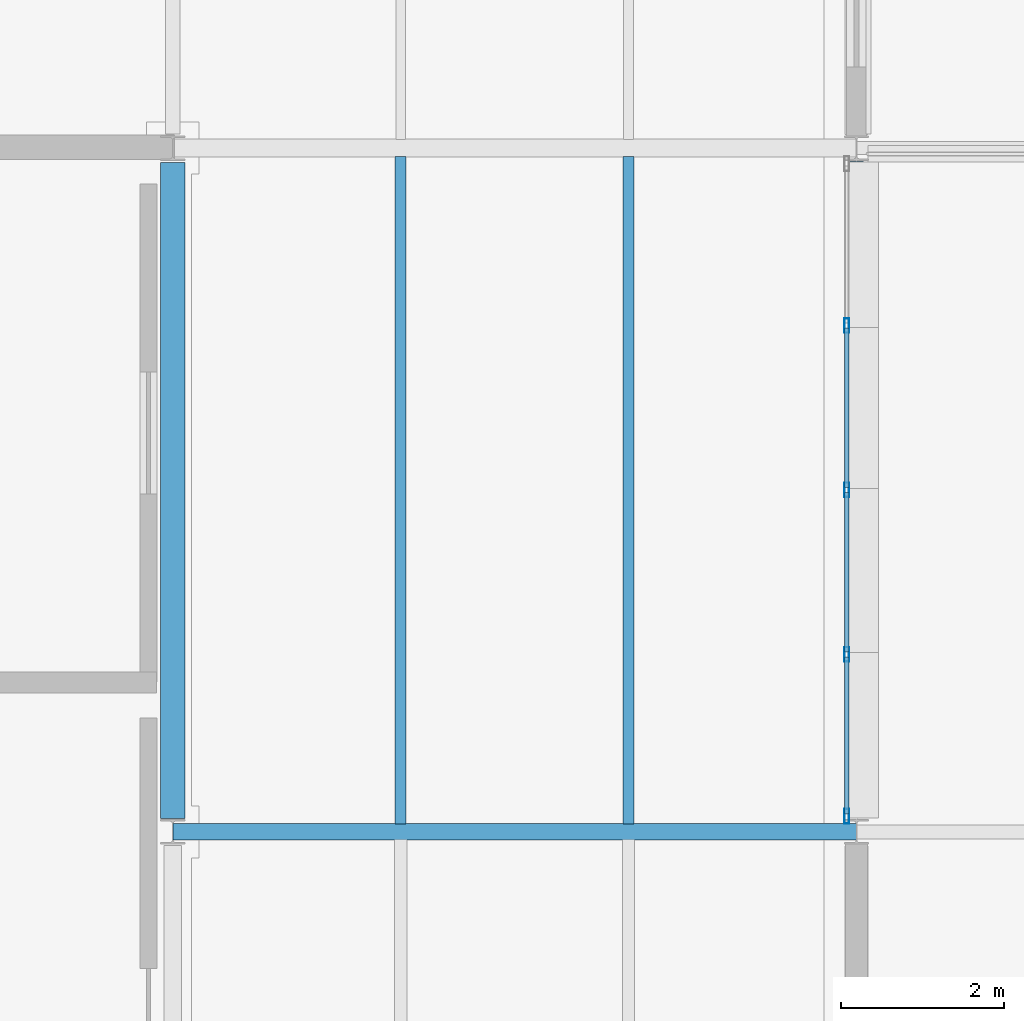
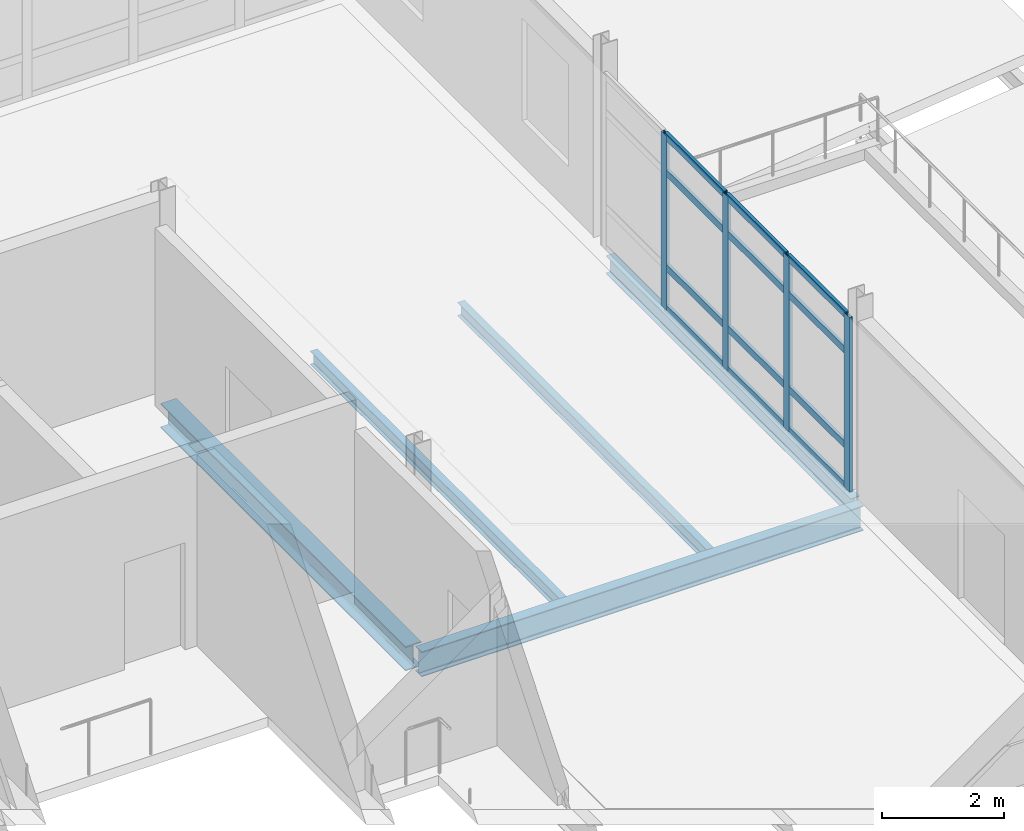
# One storey, part 16 of 131: 16 members, 5 beams, 1 element without a shape of its own.
"""IFC4 building model written with IfcOpenShell, lengths in metres."""

from ifc_helpers import new_model, si_unit, direction, frame, origin, origin_2d, place, context, subcontext, project, spatial, hollow_rectangle, i_section, extrude, material, material_profile, profile_set, type_object, element, aggregate, save


model = new_model("IFC4")

# Units and contexts
model_context = context("Model", 3, precision=1e-05, world=origin(), true_north=direction((0.0, 1.0)))
body_context = subcontext(model_context, "Body", "Model", "MODEL_VIEW")
ifc_project = project(units=[si_unit("LENGTHUNIT", "METRE"), si_unit("AREAUNIT", "SQUARE_METRE"), si_unit("VOLUMEUNIT", "CUBIC_METRE"), si_unit("PLANEANGLEUNIT", "RADIAN"), si_unit("MASSUNIT", "GRAM", prefix="KILO")], contexts=[model_context])

# Site, building, storey
site_placement = place(None, origin())
site = spatial("IfcSite", under=ifc_project, at=site_placement, CompositionType="ELEMENT")
building_placement = place(site_placement, origin())
building = spatial("IfcBuilding", under=site, at=building_placement, Name="Mersafa Astral City Hall", CompositionType="ELEMENT")
storey_placement = place(building_placement, frame((0.0, 0.0, 13.949951171875)))
storey = spatial("IfcBuildingStorey", under=building, at=storey_placement, Name="L03", CompositionType="ELEMENT", Elevation=13.949951171875)

# Curtain wall, members
ifc_material_1 = material(Name="Anodised bronze aluminium framing", Category="aluminium")
curtain_wall_type = type_object("IfcCurtainWallType", Name="ENV-CW-6", PredefinedType="USERDEFINED", material=ifc_material_1)
curtain_wall_placement = place(storey_placement, origin())
curtain_wall = element("IfcCurtainWall", 1, at=curtain_wall_placement, inside=storey, type_object=curtain_wall_type, Name="L03 Unitised solar curtain wall 149", ObjectType="UNITISED CURTAIN WALL", PredefinedType="USERDEFINED")
ifc_material_profile_1 = material_profile(ifc_material_1, hollow_rectangle(XDim=0.06005859375, YDim=0.179931640625, WallThickness=0.00390625, at=origin_2d()), Name="RHS 60x180x4")
ifc_profile_set_1 = profile_set([ifc_material_profile_1], Name="Anodised bronze aluminium framing")
member_type_1 = type_object("IfcMemberType", Name="ENV-CW-MUL-1", PredefinedType="MULLION", material=ifc_profile_set_1)
member_1_placement = place(storey_placement, frame((134.280029296875, 16.991943359375, -0.001953125), z_axis=(0.0, 0.0, 1.0), x_axis=(-1.0, 0.0, 0.0)))
member_1 = element("IfcMember", 2, at=member_1_placement, type_object=member_type_1, Name="CW-6 mullion 1", PredefinedType="MULLION", context=body_context, shape_type="SweptSolid", body=[
    extrude(hollow_rectangle(XDim=0.06005859375, YDim=0.179931640625, WallThickness=0.00390625, at=origin_2d()), origin(), (0.0, 0.0, 1.0), 3.50390625),
])
member_2_placement = place(storey_placement, frame((134.280029296875, 18.98095703125, -0.001953125), z_axis=(0.0, 0.0, 1.0), x_axis=(-1.0, 0.0, 0.0)))
member_2 = element("IfcMember", 3, at=member_2_placement, type_object=member_type_1, Name="CW-6 mullion 2", PredefinedType="MULLION", context=body_context, shape_type="SweptSolid", body=[
    extrude(hollow_rectangle(XDim=0.06005859375, YDim=0.179931640625, WallThickness=0.00390625, at=origin_2d()), origin(), (0.0, 0.0, 1.0), 3.50390625),
])
member_3_placement = place(storey_placement, frame((134.280029296875, 21.0, -0.001953125), z_axis=(0.0, 0.0, 1.0), x_axis=(-1.0, 0.0, 0.0)))
member_3 = element("IfcMember", 4, at=member_3_placement, type_object=member_type_1, Name="CW-6 mullion 3", PredefinedType="MULLION", context=body_context, shape_type="SweptSolid", body=[
    extrude(hollow_rectangle(XDim=0.06005859375, YDim=0.179931640625, WallThickness=0.00390625, at=origin_2d()), origin(), (0.0, 0.0, 1.0), 3.50390625),
])
member_4_placement = place(storey_placement, frame((134.280029296875, 23.01904296875, -0.001953125), z_axis=(0.0, 0.0, 1.0), x_axis=(-1.0, 0.0, 0.0)))
member_4 = element("IfcMember", 5, at=member_4_placement, type_object=member_type_1, Name="CW-6 mullion 4", PredefinedType="MULLION", context=body_context, shape_type="SweptSolid", body=[
    extrude(hollow_rectangle(XDim=0.06005859375, YDim=0.179931640625, WallThickness=0.00390625, at=origin_2d()), origin(), (0.0, 0.0, 1.0), 3.50390625),
])
ifc_material_profile_2 = material_profile(ifc_material_1, hollow_rectangle(XDim=0.06005859375, YDim=0.139892578125, WallThickness=0.00390625, at=origin_2d()), Name="RHS 60x140x4")
ifc_profile_set_2 = profile_set([ifc_material_profile_2], Name="Anodised bronze aluminium framing")
member_type_2 = type_object("IfcMemberType", Name="ENV-CW-TRN-1", PredefinedType="USERDEFINED", material=ifc_profile_set_2)
member_5_placement = place(storey_placement, frame((134.280029296875, 17.02197265625, 0.028076171875), z_axis=(0.0, 1.0, 0.0), x_axis=(-1.0, 0.0, 0.0)))
member_5 = element("IfcMember", 6, at=member_5_placement, type_object=member_type_2, Name="CW-6 transom 1.1", ObjectType="TRANSOM", PredefinedType="USERDEFINED", context=body_context, shape_type="SweptSolid", body=[
    extrude(hollow_rectangle(XDim=0.06005859375, YDim=0.139892578125, WallThickness=0.00390625, at=origin_2d()), origin(), (0.0, 0.0, 1.0), 1.928955078125),
])
member_6_placement = place(storey_placement, frame((134.280029296875, 17.02197265625, 0.85009765625), z_axis=(0.0, 1.0, 0.0), x_axis=(-1.0, 0.0, 0.0)))
member_6 = element("IfcMember", 7, at=member_6_placement, type_object=member_type_2, Name="CW-6 transom 1.2", ObjectType="TRANSOM", PredefinedType="USERDEFINED", context=body_context, shape_type="SweptSolid", body=[
    extrude(hollow_rectangle(XDim=0.06005859375, YDim=0.139892578125, WallThickness=0.00390625, at=origin_2d()), origin(), (0.0, 0.0, 1.0), 1.928955078125),
])
member_7_placement = place(storey_placement, frame((134.280029296875, 17.02197265625, 2.75), z_axis=(0.0, 1.0, 0.0), x_axis=(-1.0, 0.0, 0.0)))
member_7 = element("IfcMember", 8, at=member_7_placement, type_object=member_type_2, Name="CW-6 transom 1.3", ObjectType="TRANSOM", PredefinedType="USERDEFINED", context=body_context, shape_type="SweptSolid", body=[
    extrude(hollow_rectangle(XDim=0.06005859375, YDim=0.139892578125, WallThickness=0.00390625, at=origin_2d()), origin(), (0.0, 0.0, 1.0), 1.928955078125),
])
member_8_placement = place(storey_placement, frame((134.280029296875, 17.02197265625, 3.47216796875), z_axis=(0.0, 1.0, 0.0), x_axis=(-1.0, 0.0, 0.0)))
member_8 = element("IfcMember", 9, at=member_8_placement, type_object=member_type_2, Name="CW-6 transom 1.4", ObjectType="TRANSOM", PredefinedType="USERDEFINED", context=body_context, shape_type="SweptSolid", body=[
    extrude(hollow_rectangle(XDim=0.06005859375, YDim=0.139892578125, WallThickness=0.00390625, at=origin_2d()), origin(), (0.0, 0.0, 1.0), 1.928955078125),
])
member_9_placement = place(storey_placement, frame((134.280029296875, 19.010986328125, 0.028076171875), z_axis=(0.0, 1.0, 0.0), x_axis=(-1.0, 0.0, 0.0)))
member_9 = element("IfcMember", 10, at=member_9_placement, type_object=member_type_2, Name="CW-6 transom 2.1", ObjectType="TRANSOM", PredefinedType="USERDEFINED", context=body_context, shape_type="SweptSolid", body=[
    extrude(hollow_rectangle(XDim=0.06005859375, YDim=0.139892578125, WallThickness=0.00390625, at=origin_2d()), origin(), (0.0, 0.0, 1.0), 1.958984375),
])
member_10_placement = place(storey_placement, frame((134.280029296875, 19.010986328125, 0.85009765625), z_axis=(0.0, 1.0, 0.0), x_axis=(-1.0, 0.0, 0.0)))
member_10 = element("IfcMember", 11, at=member_10_placement, type_object=member_type_2, Name="CW-6 transom 2.2", ObjectType="TRANSOM", PredefinedType="USERDEFINED", context=body_context, shape_type="SweptSolid", body=[
    extrude(hollow_rectangle(XDim=0.06005859375, YDim=0.139892578125, WallThickness=0.00390625, at=origin_2d()), origin(), (0.0, 0.0, 1.0), 1.958984375),
])
member_11_placement = place(storey_placement, frame((134.280029296875, 19.010986328125, 2.75), z_axis=(0.0, 1.0, 0.0), x_axis=(-1.0, 0.0, 0.0)))
member_11 = element("IfcMember", 12, at=member_11_placement, type_object=member_type_2, Name="CW-6 transom 2.3", ObjectType="TRANSOM", PredefinedType="USERDEFINED", context=body_context, shape_type="SweptSolid", body=[
    extrude(hollow_rectangle(XDim=0.06005859375, YDim=0.139892578125, WallThickness=0.00390625, at=origin_2d()), origin(), (0.0, 0.0, 1.0), 1.958984375),
])
member_12_placement = place(storey_placement, frame((134.280029296875, 19.010986328125, 3.47216796875), z_axis=(0.0, 1.0, 0.0), x_axis=(-1.0, 0.0, 0.0)))
member_12 = element("IfcMember", 13, at=member_12_placement, type_object=member_type_2, Name="CW-6 transom 2.4", ObjectType="TRANSOM", PredefinedType="USERDEFINED", context=body_context, shape_type="SweptSolid", body=[
    extrude(hollow_rectangle(XDim=0.06005859375, YDim=0.139892578125, WallThickness=0.00390625, at=origin_2d()), origin(), (0.0, 0.0, 1.0), 1.958984375),
])
member_13_placement = place(storey_placement, frame((134.280029296875, 21.030029296875, 0.028076171875), z_axis=(0.0, 1.0, 0.0), x_axis=(-1.0, 0.0, 0.0)))
member_13 = element("IfcMember", 14, at=member_13_placement, type_object=member_type_2, Name="CW-6 transom 3.1", ObjectType="TRANSOM", PredefinedType="USERDEFINED", context=body_context, shape_type="SweptSolid", body=[
    extrude(hollow_rectangle(XDim=0.06005859375, YDim=0.139892578125, WallThickness=0.00390625, at=origin_2d()), origin(), (0.0, 0.0, 1.0), 1.958984375),
])
member_14_placement = place(storey_placement, frame((134.280029296875, 21.030029296875, 0.85009765625), z_axis=(0.0, 1.0, 0.0), x_axis=(-1.0, 0.0, 0.0)))
member_14 = element("IfcMember", 15, at=member_14_placement, type_object=member_type_2, Name="CW-6 transom 3.2", ObjectType="TRANSOM", PredefinedType="USERDEFINED", context=body_context, shape_type="SweptSolid", body=[
    extrude(hollow_rectangle(XDim=0.06005859375, YDim=0.139892578125, WallThickness=0.00390625, at=origin_2d()), origin(), (0.0, 0.0, 1.0), 1.958984375),
])
member_15_placement = place(storey_placement, frame((134.280029296875, 21.030029296875, 2.75), z_axis=(0.0, 1.0, 0.0), x_axis=(-1.0, 0.0, 0.0)))
member_15 = element("IfcMember", 16, at=member_15_placement, type_object=member_type_2, Name="CW-6 transom 3.3", ObjectType="TRANSOM", PredefinedType="USERDEFINED", context=body_context, shape_type="SweptSolid", body=[
    extrude(hollow_rectangle(XDim=0.06005859375, YDim=0.139892578125, WallThickness=0.00390625, at=origin_2d()), origin(), (0.0, 0.0, 1.0), 1.958984375),
])
member_16_placement = place(storey_placement, frame((134.280029296875, 21.030029296875, 3.47216796875), z_axis=(0.0, 1.0, 0.0), x_axis=(-1.0, 0.0, 0.0)))
member_16 = element("IfcMember", 17, at=member_16_placement, type_object=member_type_2, Name="CW-6 transom 3.4", ObjectType="TRANSOM", PredefinedType="USERDEFINED", context=body_context, shape_type="SweptSolid", body=[
    extrude(hollow_rectangle(XDim=0.06005859375, YDim=0.139892578125, WallThickness=0.00390625, at=origin_2d()), origin(), (0.0, 0.0, 1.0), 1.958984375),
])
aggregate(curtain_wall, [member_1, member_2, member_3, member_4, member_5, member_6, member_7, member_8, member_9, member_10, member_11, member_12, member_13, member_14, member_15, member_16])

# Beams
ifc_material_2 = material(Name="Steel S355", Category="steel")
ifc_material_profile_3 = material_profile(ifc_material_2, i_section(OverallWidth=0.300048828125, OverallDepth=0.489990234375, WebThickness=0.011962890625, FlangeThickness=0.02294921875, FilletRadius=0.027099609375, at=origin_2d()), Name="HEA 500")
ifc_profile_set_3 = profile_set([ifc_material_profile_3], Name="Steel S355")
beam_type_1 = type_object("IfcBeamType", Name="STR-BM-HEA500", PredefinedType="BEAM", material=ifc_profile_set_3)
beam_1_placement = place(storey_placement, frame((126.0, 16.965087890625, -0.445068359375), z_axis=(0.0, 1.0, 0.0), x_axis=(-1.0, 0.0, 0.0)))
element("IfcBeam", 18, at=beam_1_placement, inside=storey, type_object=beam_type_1, Name="L03 Primary girder Y 15-2", PredefinedType="BEAM", context=body_context, shape_type="SweptSolid", body=[
    extrude(i_section(OverallWidth=0.300048828125, OverallDepth=0.489990234375, WebThickness=0.011962890625, FlangeThickness=0.02294921875, FilletRadius=0.027099609375, at=origin_2d()), origin(), (0.0, 0.0, 1.0), 8.059814453125),
])
ifc_material_profile_4 = material_profile(ifc_material_2, i_section(OverallWidth=0.199951171875, OverallDepth=0.5, WebThickness=0.01025390625, FlangeThickness=0.01611328125, FilletRadius=0.02099609375, at=origin_2d()), Name="IPE 500")
ifc_profile_set_4 = profile_set([ifc_material_profile_4], Name="Steel S355")
beam_type_2 = type_object("IfcBeamType", Name="STR-BM-IPE500", PredefinedType="BEAM", material=ifc_profile_set_4)
beam_2_placement = place(storey_placement, frame((126.0029296875, 16.800048828125, -0.449951171875), z_axis=(1.0, 0.0, 0.0), x_axis=(0.0, 1.0, 0.0)))
element("IfcBeam", 19, at=beam_2_placement, inside=storey, type_object=beam_type_2, Name="L03 Primary girder X 15-2", PredefinedType="BEAM", context=body_context, shape_type="SweptSolid", body=[
    extrude(i_section(OverallWidth=0.199951171875, OverallDepth=0.5, WebThickness=0.01025390625, FlangeThickness=0.01611328125, FilletRadius=0.02099609375, at=origin_2d()), origin(), (0.0, 0.0, 1.0), 8.39404296875),
])
ifc_material_profile_5 = material_profile(ifc_material_2, i_section(OverallWidth=0.135009765625, OverallDepth=0.27001953125, WebThickness=0.006591796875, FlangeThickness=0.01025390625, FilletRadius=0.014892578125, at=origin_2d()), Name="IPE 270")
ifc_profile_set_5 = profile_set([ifc_material_profile_5], Name="Steel S355")
beam_type_3 = type_object("IfcBeamType", Name="STR-BM-JOIST-IPE270", PredefinedType="JOIST", material=ifc_profile_set_5)
for number, where, z_axis, x_axis, name in (
    (20, (128.800048828125, 16.89501953125, -0.3349609375), (0.0, 1.0, 0.0), (-1.0, 0.0, 0.0), "L03 Composite secondary floor joist 636"),
    (21, (131.60009765625, 16.89501953125, -0.3349609375), (0.0, 1.0, 0.0), (-1.0, 0.0, 0.0), "L03 Composite secondary floor joist 637"),
):
    element("IfcBeam", number, at=place(storey_placement, frame(where, z_axis=z_axis, x_axis=x_axis)), inside=storey, type_object=beam_type_3, Name=name, PredefinedType="JOIST", context=body_context, shape_type="SweptSolid", body=[
        extrude(i_section(OverallWidth=0.135009765625, OverallDepth=0.27001953125, WebThickness=0.006591796875, FlangeThickness=0.01025390625, FilletRadius=0.014892578125, at=origin_2d()), origin(), (0.0, 0.0, 1.0), 8.199951171875),
    ])
ifc_material_profile_6 = material_profile(ifc_material_2, i_section(OverallWidth=0.169921875, OverallDepth=0.360107421875, WebThickness=0.008056640625, FlangeThickness=0.0126953125, FilletRadius=0.01806640625, at=origin_2d()), Name="IPE 360")
ifc_profile_set_6 = profile_set([ifc_material_profile_6], Name="Steel S355")
beam_type_4 = type_object("IfcBeamType", Name="STR-BM-SPANDREL-IPE360", PredefinedType="SPANDREL", material=ifc_profile_set_6)
beam_3_placement = place(storey_placement, frame((134.39990234375, 16.97509765625, -0.3798828125), z_axis=(0.0, 1.0, 0.0), x_axis=(-1.0, 0.0, 0.0)))
element("IfcBeam", 22, at=beam_3_placement, inside=storey, type_object=beam_type_4, Name="L03 Primary girder Y 16-2", PredefinedType="SPANDREL", context=body_context, shape_type="SweptSolid", body=[
    extrude(i_section(OverallWidth=0.169921875, OverallDepth=0.360107421875, WebThickness=0.008056640625, FlangeThickness=0.0126953125, FilletRadius=0.01806640625, at=origin_2d()), origin(), (0.0, 0.0, 1.0), 8.059814453125),
])

save(model, "model.ifc")
